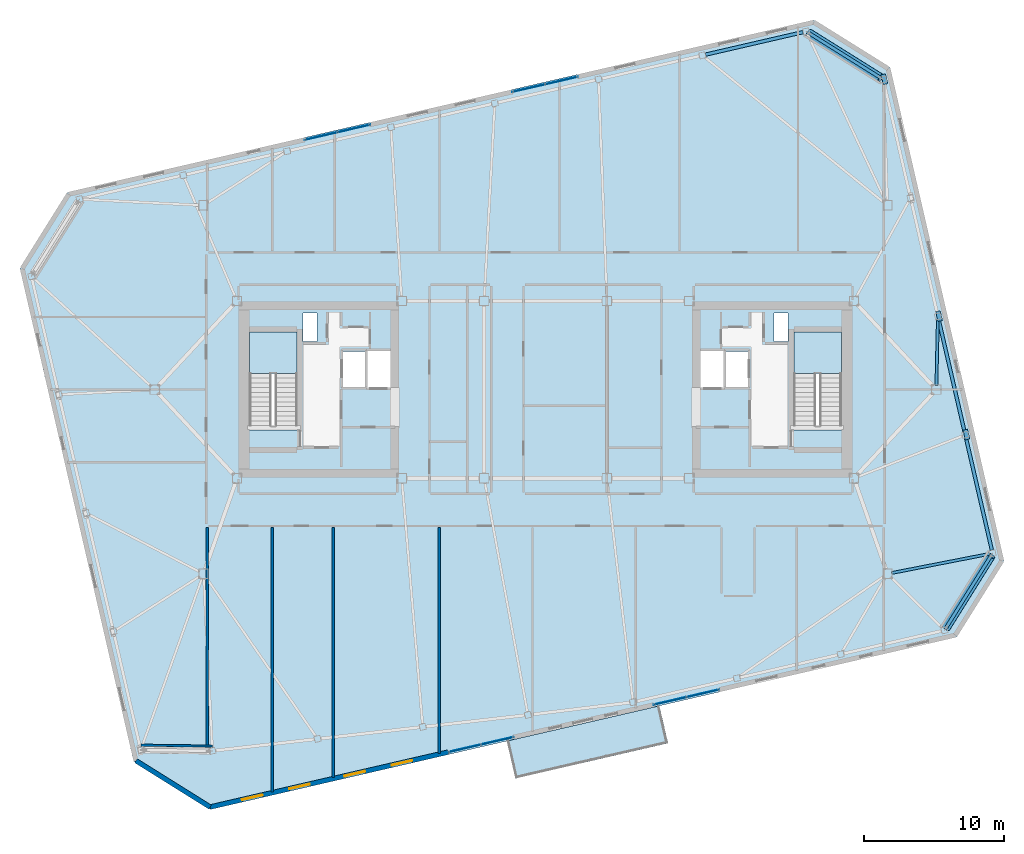
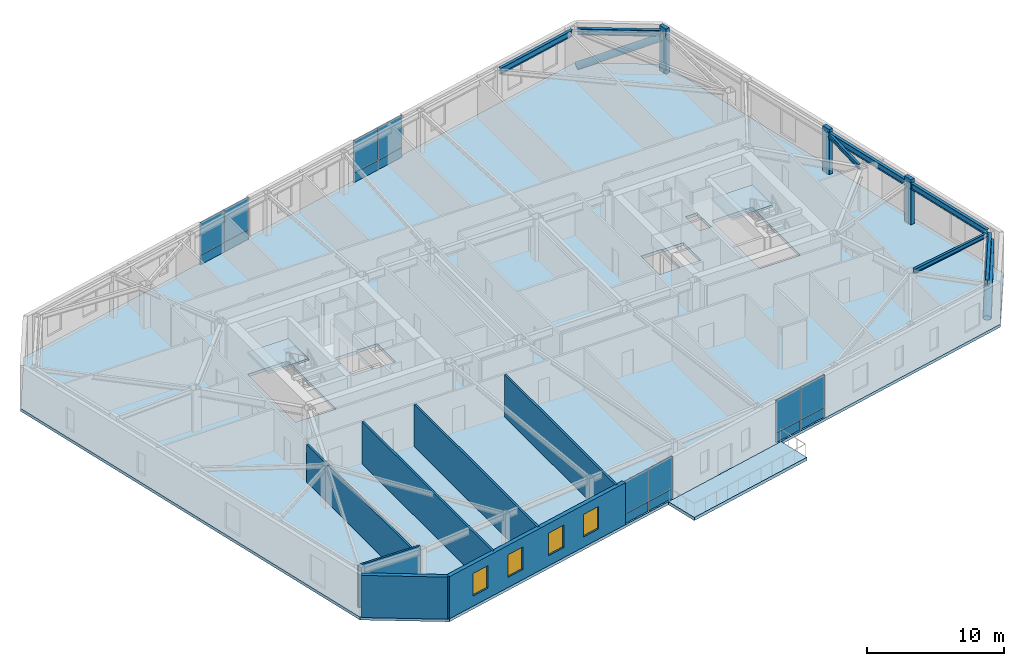
# One storey, part 15 of 24: 16 plates, 7 beams, 7 walls, 5 members, 4 slabs, 4 windows, 4 openings, 6 elements without a shape of their own.
"""IFC4 building model written with IfcOpenShell, lengths in metres."""

from ifc_helpers import new_model, si_unit, direction, frame, frame_2d, origin, origin_2d, place, context, subcontext, project, spatial, polyline, rectangle, hollow_circle, i_section, outline, extrude, material, layer, layer_set, material_profile, profile_set, type_object, element, fill, aggregate, save


model = new_model("IFC4")

# Units and contexts
model_context = context("Model", 3, precision=1e-05, world=origin(), true_north=direction((0.0, 1.0)))
body_context = subcontext(model_context, "Body", "Model", "MODEL_VIEW")
ifc_project = project(units=[si_unit("LENGTHUNIT", "METRE"), si_unit("AREAUNIT", "SQUARE_METRE"), si_unit("VOLUMEUNIT", "CUBIC_METRE"), si_unit("PLANEANGLEUNIT", "RADIAN"), si_unit("MASSUNIT", "GRAM", prefix="KILO")], contexts=[model_context])

# Site, building, storey
site_placement = place(None, origin())
site = spatial("IfcSite", under=ifc_project, at=site_placement, CompositionType="ELEMENT")
building_placement = place(site_placement, origin())
building = spatial("IfcBuilding", under=site, at=building_placement, Name="Tavrogorsk Clinical Tower", CompositionType="ELEMENT")
storey_placement = place(building_placement, frame((0.0, 0.0, 325.0)))
storey = spatial("IfcBuildingStorey", under=building, at=storey_placement, Name="L76", CompositionType="ELEMENT", Elevation=325.0)

# Members
ifc_material_1 = material(Name="Structural steel S440", Category="steel")
ifc_material_profile_1 = material_profile(ifc_material_1, hollow_circle(Radius=0.304931640625, WallThickness=0.02490234375, at=origin_2d()), Name="CHS-610x25")
ifc_profile_set_1 = profile_set([ifc_material_profile_1], Name="Structural steel S440")
member_type_1 = type_object("IfcMemberType", Name="ExoBrace_CHS610", PredefinedType="BRACE", material=ifc_profile_set_1)
for number, where, z_axis, x_axis, name in (
    (1, (28.70166015625, -17.063720703125, 0.393310546875), (0.485685891885, 0.777193135924, 0.40010004236), (-0.848027637525, 0.529952003481, 0.0), "L76 Corner Exoskeleton Brace S8-E1"),
    (2, (18.86279296875, 25.55322265625, 0.393310546875), (0.777221605895, -0.485643868835, 0.400095748531), (0.529905066536, 0.848056967697, 0.0), "L76 Corner Exoskeleton Brace E5-N1"),
):
    element("IfcMember", number, at=place(storey_placement, frame(where, z_axis=z_axis, x_axis=x_axis)), inside=storey, type_object=member_type_1, Name=name, PredefinedType="BRACE", context=body_context, shape_type="SweptSolid", body=[
        extrude(hollow_circle(Radius=0.304931640625, WallThickness=0.02490234375, at=origin_2d()), origin(), (0.0, 0.0, 1.0), 6.63232421875),
    ])

# Beams
ifc_material_2 = material(Name="Structural steel S355", Category="steel")
ifc_material_profile_2 = material_profile(ifc_material_2, i_section(OverallWidth=0.199951171875, OverallDepth=0.39990234375, WebThickness=0.010498046875, FlangeThickness=0.01611328125, at=origin_2d()), Name="B-400x200x10.5x16")
ifc_profile_set_2 = profile_set([ifc_material_profile_2], Name="Structural steel S355")
beam_type_1 = type_object("IfcBeamType", Name="FloorBeam_B400", PredefinedType="BEAM", material=ifc_profile_set_2)
beam_1_placement = place(storey_placement, frame((24.80419921875, -13.140625, 3.5400390625), z_axis=(0.981451198395, 0.191712141424, 0.0), x_axis=(-0.191712141424, 0.981451198395, 0.0)))
element("IfcBeam", 3, at=beam_1_placement, inside=storey, type_object=beam_type_1, Name="L76 Radial Floor Beam E1", PredefinedType="BEAM", context=body_context, shape_type="SweptSolid", body=[
    extrude(i_section(OverallWidth=0.199951171875, OverallDepth=0.39990234375, WebThickness=0.010498046875, FlangeThickness=0.01611328125, at=origin_2d()), origin(), (0.0, 0.0, 1.0), 7.13525390625),
])
beam_2_placement = place(storey_placement, frame((28.0068359375, 0.309814453125, 3.5400390625), z_axis=(0.022370062613, 0.999749758839, 0.0), x_axis=(-0.999749758839, 0.022370062613, 0.0)))
element("IfcBeam", 4, at=beam_2_placement, inside=storey, type_object=beam_type_1, Name="L76 Radial Floor Beam E3", PredefinedType="BEAM", context=body_context, shape_type="SweptSolid", body=[
    extrude(i_section(OverallWidth=0.199951171875, OverallDepth=0.39990234375, WebThickness=0.010498046875, FlangeThickness=0.01611328125, at=origin_2d()), origin(), (0.0, 0.0, 1.0), 4.703857421875),
])

# Members
ifc_material_3 = material(Name="Precast concrete B45 with limestone cladding", Category="masonry")
ifc_material_profile_3 = material_profile(ifc_material_3, rectangle(XDim=0.320068359375, YDim=0.719970703125, at=origin_2d()), Name="LIMESTONE-FIN-320x720")
ifc_profile_set_3 = profile_set([ifc_material_profile_3], Name="Precast concrete B45 with limestone cladding")
member_type_2 = type_object("IfcMemberType", Name="LimestonePleatFin_320x720", PredefinedType="USERDEFINED", material=ifc_profile_set_3)
for number, where, z_axis, x_axis, name in (
    (5, (30.154541015625, -3.223388671875, 0.0), (0.0, 0.0, 1.0), (0.974370064785, 0.224951054344, 0.0), "L76 E Pleated Stone Fin 1"),
    (6, (28.1953125, 5.263427734375, 0.0), (0.0, 0.0, 1.0), (0.974370064785, 0.224951054344, 0.0), "L76 E Pleated Stone Fin 2"),
    (7, (24.276611328125, 22.237060546875, 0.0), (0.0, 0.0, 1.0), (0.974370064785, 0.224951054344, 0.0), "L76 E Pleated Stone Fin 4"),
):
    element("IfcMember", number, at=place(storey_placement, frame(where, z_axis=z_axis, x_axis=x_axis)), inside=storey, type_object=member_type_2, Name=name, ObjectType="FIN", PredefinedType="USERDEFINED", context=body_context, shape_type="SweptSolid", body=[
        extrude(rectangle(XDim=0.320068359375, YDim=0.719970703125, at=origin_2d()), origin(), (0.0, 0.0, 1.0), 4.0),
    ])

# Beams
ifc_material_4 = material(Name="Structural steel S390", Category="steel")
ifc_material_profile_4 = material_profile(ifc_material_4, i_section(OverallWidth=0.239990234375, OverallDepth=0.550048828125, WebThickness=0.013916015625, FlangeThickness=0.02197265625, at=origin_2d()), Name="B-550x240x14x22")
ifc_profile_set_4 = profile_set([ifc_material_profile_4], Name="Structural steel S390")
beam_type_2 = type_object("IfcBeamType", Name="SpandrelBeam_B550", PredefinedType="SPANDREL", material=ifc_profile_set_4)
beam_3_placement = place(storey_placement, frame((28.712158203125, -17.04736328125, 3.465087890625), z_axis=(0.529904457892, 0.848057348006, 0.0), x_axis=(-0.848057348006, 0.529904457892, 0.0)))
element("IfcBeam", 8, at=beam_3_placement, inside=storey, type_object=beam_type_2, Name="L76 Perimeter Spandrel S8-E1", PredefinedType="SPANDREL", context=body_context, shape_type="SweptSolid", body=[
    extrude(i_section(OverallWidth=0.239990234375, OverallDepth=0.550048828125, WebThickness=0.013916015625, FlangeThickness=0.02197265625, at=origin_2d()), origin(), (0.0, 0.0, 1.0), 6.039306640625),
])
for number, where, z_axis, x_axis, name in (
    (9, (31.9833984375, -11.5009765625, 3.465087890625), (-0.224950345141, 0.974370228517, 0.0), (-0.974370228517, -0.224950345141, 0.0), "L76 Perimeter Spandrel E1-E2"),
    (10, (30.024169921875, -3.01416015625, 3.465087890625), (-0.224950345141, 0.974370228517, 0.0), (-0.974370228517, -0.224950345141, 0.0), "L76 Perimeter Spandrel E2-E3"),
):
    element("IfcBeam", number, at=place(storey_placement, frame(where, z_axis=z_axis, x_axis=x_axis)), inside=storey, type_object=beam_type_2, Name=name, PredefinedType="SPANDREL", context=body_context, shape_type="SweptSolid", body=[
        extrude(i_section(OverallWidth=0.239990234375, OverallDepth=0.550048828125, WebThickness=0.013916015625, FlangeThickness=0.02197265625, at=origin_2d()), origin(), (0.0, 0.0, 1.0), 8.243896484375),
    ])
beam_4_placement = place(storey_placement, frame((24.0009765625, 22.342529296875, 3.465087890625), z_axis=(-0.848057348006, 0.529904457892, 0.0), x_axis=(-0.529904457892, -0.848057348006, 0.0)))
element("IfcBeam", 11, at=beam_4_placement, inside=storey, type_object=beam_type_2, Name="L76 Perimeter Spandrel E5-N1", PredefinedType="SPANDREL", context=body_context, shape_type="SweptSolid", body=[
    extrude(i_section(OverallWidth=0.239990234375, OverallDepth=0.550048828125, WebThickness=0.013916015625, FlangeThickness=0.02197265625, at=origin_2d()), origin(), (0.0, 0.0, 1.0), 6.039306640625),
])
beam_5_placement = place(storey_placement, frame((18.45458984375, 25.61376953125, 3.465087890625), z_axis=(-0.974375120167, -0.224929155956, 0.0), x_axis=(0.224929155956, -0.974375120167, 0.0)))
element("IfcBeam", 12, at=beam_5_placement, inside=storey, type_object=beam_type_2, Name="L76 Perimeter Spandrel N1-N2", PredefinedType="SPANDREL", context=body_context, shape_type="SweptSolid", body=[
    extrude(i_section(OverallWidth=0.239990234375, OverallDepth=0.550048828125, WebThickness=0.013916015625, FlangeThickness=0.02197265625, at=origin_2d()), origin(), (0.0, 0.0, 1.0), 7.16796875),
])

# Curtain wall, plates
ifc_material_5 = material(Name="Anodised aluminium and triple IGU glazing", Category="aluminium")
ifc_layer_1 = layer(ifc_material_5, 0.179931640625)
ifc_layer_set_1 = layer_set([ifc_layer_1], Name="Anodised aluminium and triple IGU glazing")
curtain_wall_type_1 = type_object("IfcCurtainWallType", Name="CW3_SouthSlot", PredefinedType="NOTDEFINED", material=ifc_layer_set_1)
curtain_wall_1_placement = place(storey_placement, origin())
curtain_wall_1 = element("IfcCurtainWall", 13, at=curtain_wall_1_placement, inside=storey, type_object=curtain_wall_type_1, Name="L76 Curtain Wall CW-L76-S-SLOT-1", PredefinedType="NOTDEFINED")
ifc_material_6 = material(Name="Honed Podolsk limestone spandrel panel", Category="masonry")
ifc_layer_2 = layer(ifc_material_6, 0.080078125)
ifc_layer_set_2 = layer_set([ifc_layer_2], Name="Honed Podolsk limestone spandrel panel")
plate_type_1 = type_object("IfcPlateType", Name="CwSpandrelStonePanel_80", PredefinedType="CURTAIN_PANEL", material=ifc_layer_set_2)
plate_1_placement = place(storey_placement, frame((-5.810546875, -25.7099609375, 0.001953125), z_axis=(0.0, 0.0, 1.0), x_axis=(0.974370057377, 0.224951086434, 0.0)))
plate_1 = element("IfcPlate", 14, at=plate_1_placement, type_object=plate_type_1, Name="CW-L76-S-SLOT-1 Stone Spandrel Panel 1", PredefinedType="CURTAIN_PANEL", context=body_context, shape_type="SweptSolid", body=[
    extrude(rectangle(XDim=2.39208984375, YDim=0.080078125, at=origin_2d()), origin(), (0.0, 0.0, 1.0), 0.8359375),
])
plate_2_placement = place(storey_placement, frame((-3.45654296875, -25.16650390625, 0.001953125), z_axis=(0.0, 0.0, 1.0), x_axis=(0.974370057377, 0.224951086434, 0.0)))
plate_2 = element("IfcPlate", 15, at=plate_2_placement, type_object=plate_type_1, Name="CW-L76-S-SLOT-1 Stone Spandrel Panel 2", PredefinedType="CURTAIN_PANEL", context=body_context, shape_type="SweptSolid", body=[
    extrude(rectangle(XDim=2.39208984375, YDim=0.080078125, at=origin_2d()), origin(), (0.0, 0.0, 1.0), 0.8359375),
])

curtain_wall_2_placement = place(storey_placement, origin())
curtain_wall_2 = element("IfcCurtainWall", 16, at=curtain_wall_2_placement, inside=storey, type_object=curtain_wall_type_1, Name="L76 Curtain Wall CW-L76-S-SLOT-2", PredefinedType="NOTDEFINED")
plate_3_placement = place(storey_placement, frame((8.9296875, -22.306884765625, 0.001953125), z_axis=(0.0, 0.0, 1.0), x_axis=(0.974370057377, 0.224951086434, 0.0)))
plate_3 = element("IfcPlate", 17, at=plate_3_placement, type_object=plate_type_1, Name="CW-L76-S-SLOT-2 Stone Spandrel Panel 1", PredefinedType="CURTAIN_PANEL", context=body_context, shape_type="SweptSolid", body=[
    extrude(rectangle(XDim=2.39208984375, YDim=0.080078125, at=origin_2d()), origin(), (0.0, 0.0, 1.0), 0.8359375),
])
plate_4_placement = place(storey_placement, frame((11.28369140625, -21.763427734375, 0.001953125), z_axis=(0.0, 0.0, 1.0), x_axis=(0.974370057377, 0.224951086434, 0.0)))
plate_4 = element("IfcPlate", 18, at=plate_4_placement, type_object=plate_type_1, Name="CW-L76-S-SLOT-2 Stone Spandrel Panel 2", PredefinedType="CURTAIN_PANEL", context=body_context, shape_type="SweptSolid", body=[
    extrude(rectangle(XDim=2.39208984375, YDim=0.080078125, at=origin_2d()), origin(), (0.0, 0.0, 1.0), 0.8359375),
])

ifc_material_7 = material(Name="Anodised aluminium and triple IGU glazing", Category="aluminium")
ifc_layer_3 = layer(ifc_material_7, 0.179931640625)
ifc_layer_set_3 = layer_set([ifc_layer_3], Name="Anodised aluminium and triple IGU glazing")
curtain_wall_type_2 = type_object("IfcCurtainWallType", Name="CW2_NorthSlot", PredefinedType="NOTDEFINED", material=ifc_layer_set_3)
curtain_wall_3_placement = place(storey_placement, origin())
curtain_wall_3 = element("IfcCurtainWall", 19, at=curtain_wall_3_placement, inside=storey, type_object=curtain_wall_type_2, Name="L76 Curtain Wall CW-L76-N-SLOT-1", PredefinedType="NOTDEFINED")
plate_5_placement = place(storey_placement, frame((-13.729736328125, 18.70703125, 0.001953125), z_axis=(0.0, 0.0, 1.0), x_axis=(-0.974370057377, -0.224951086434, 0.0)))
plate_5 = element("IfcPlate", 20, at=plate_5_placement, type_object=plate_type_1, Name="CW-L76-N-SLOT-1 Stone Spandrel Panel 1", PredefinedType="CURTAIN_PANEL", context=body_context, shape_type="SweptSolid", body=[
    extrude(rectangle(XDim=2.39208984375, YDim=0.080078125, at=origin_2d()), origin(), (0.0, 0.0, 1.0), 0.8359375),
])
plate_6_placement = place(storey_placement, frame((-16.083740234375, 18.16357421875, 0.001953125), z_axis=(0.0, 0.0, 1.0), x_axis=(-0.974370057377, -0.224951086434, 0.0)))
plate_6 = element("IfcPlate", 21, at=plate_6_placement, type_object=plate_type_1, Name="CW-L76-N-SLOT-1 Stone Spandrel Panel 2", PredefinedType="CURTAIN_PANEL", context=body_context, shape_type="SweptSolid", body=[
    extrude(rectangle(XDim=2.39208984375, YDim=0.080078125, at=origin_2d()), origin(), (0.0, 0.0, 1.0), 0.8359375),
])

curtain_wall_4_placement = place(storey_placement, origin())
curtain_wall_4 = element("IfcCurtainWall", 22, at=curtain_wall_4_placement, inside=storey, type_object=curtain_wall_type_2, Name="L76 Curtain Wall CW-L76-N-SLOT-2", PredefinedType="NOTDEFINED")
plate_7_placement = place(storey_placement, frame((1.1474609375, 22.1416015625, 0.001953125), z_axis=(0.0, 0.0, 1.0), x_axis=(-0.974370092441, -0.224950934554, 0.0)))
plate_7 = element("IfcPlate", 23, at=plate_7_placement, type_object=plate_type_1, Name="CW-L76-N-SLOT-2 Stone Spandrel Panel 1", PredefinedType="CURTAIN_PANEL", context=body_context, shape_type="SweptSolid", body=[
    extrude(rectangle(XDim=2.39208984375, YDim=0.080078125, at=origin_2d()), origin(), (0.0, 0.0, 1.0), 0.8359375),
])
plate_8_placement = place(storey_placement, frame((-1.20654296875, 21.59814453125, 0.001953125), z_axis=(0.0, 0.0, 1.0), x_axis=(-0.974370092441, -0.224950934554, 0.0)))
plate_8 = element("IfcPlate", 24, at=plate_8_placement, type_object=plate_type_1, Name="CW-L76-N-SLOT-2 Stone Spandrel Panel 2", PredefinedType="CURTAIN_PANEL", context=body_context, shape_type="SweptSolid", body=[
    extrude(rectangle(XDim=2.39208984375, YDim=0.080078125, at=origin_2d()), origin(), (0.0, 0.0, 1.0), 0.8359375),
])

# Plate
ifc_material_8 = material(Name="Triple low-E argon insulated glass", Category="glass")
ifc_layer_4 = layer(ifc_material_8, 0.048095703125)
ifc_layer_set_4 = layer_set([ifc_layer_4], Name="Triple low-E argon insulated glass")
plate_type_2 = type_object("IfcPlateType", Name="CwVisionGlassPanel_48", PredefinedType="CURTAIN_PANEL", material=ifc_layer_set_4)
plate_9_placement = place(storey_placement, frame((-5.810546875, -25.7099609375, 0.862060546875), z_axis=(0.0, 0.0, 1.0), x_axis=(0.974370057377, 0.224951086434, 0.0)))
plate_9 = element("IfcPlate", 25, at=plate_9_placement, type_object=plate_type_2, Name="CW-L76-S-SLOT-1 Glazing Panel 1", PredefinedType="CURTAIN_PANEL", context=body_context, shape_type="SweptSolid", body=[
    extrude(rectangle(XDim=2.39208984375, YDim=0.048095703125, at=origin_2d()), origin(), (0.0, 0.0, 1.0), 2.8759765625),
])

plate_10_placement = place(storey_placement, frame((-3.45654296875, -25.16650390625, 0.862060546875), z_axis=(0.0, 0.0, 1.0), x_axis=(0.974370057377, 0.224951086434, 0.0)))
plate_10 = element("IfcPlate", 26, at=plate_10_placement, type_object=plate_type_2, Name="CW-L76-S-SLOT-1 Glazing Panel 2", PredefinedType="CURTAIN_PANEL", context=body_context, shape_type="SweptSolid", body=[
    extrude(rectangle(XDim=2.39208984375, YDim=0.048095703125, at=origin_2d()), origin(), (0.0, 0.0, 1.0), 2.8759765625),
])

aggregate(curtain_wall_1, [plate_1, plate_9, plate_2, plate_10])

plate_11_placement = place(storey_placement, frame((8.9296875, -22.306884765625, 0.862060546875), z_axis=(0.0, 0.0, 1.0), x_axis=(0.974370057377, 0.224951086434, 0.0)))
plate_11 = element("IfcPlate", 27, at=plate_11_placement, type_object=plate_type_2, Name="CW-L76-S-SLOT-2 Glazing Panel 1", PredefinedType="CURTAIN_PANEL", context=body_context, shape_type="SweptSolid", body=[
    extrude(rectangle(XDim=2.39208984375, YDim=0.048095703125, at=origin_2d()), origin(), (0.0, 0.0, 1.0), 2.8759765625),
])

plate_12_placement = place(storey_placement, frame((11.28369140625, -21.763427734375, 0.862060546875), z_axis=(0.0, 0.0, 1.0), x_axis=(0.974370057377, 0.224951086434, 0.0)))
plate_12 = element("IfcPlate", 28, at=plate_12_placement, type_object=plate_type_2, Name="CW-L76-S-SLOT-2 Glazing Panel 2", PredefinedType="CURTAIN_PANEL", context=body_context, shape_type="SweptSolid", body=[
    extrude(rectangle(XDim=2.39208984375, YDim=0.048095703125, at=origin_2d()), origin(), (0.0, 0.0, 1.0), 2.8759765625),
])

aggregate(curtain_wall_2, [plate_3, plate_11, plate_4, plate_12])

plate_13_placement = place(storey_placement, frame((-13.729736328125, 18.70703125, 0.862060546875), z_axis=(0.0, 0.0, 1.0), x_axis=(-0.974370057377, -0.224951086434, 0.0)))
plate_13 = element("IfcPlate", 29, at=plate_13_placement, type_object=plate_type_2, Name="CW-L76-N-SLOT-1 Glazing Panel 1", PredefinedType="CURTAIN_PANEL", context=body_context, shape_type="SweptSolid", body=[
    extrude(rectangle(XDim=2.39208984375, YDim=0.048095703125, at=origin_2d()), origin(), (0.0, 0.0, 1.0), 2.8759765625),
])

plate_14_placement = place(storey_placement, frame((-16.083740234375, 18.16357421875, 0.862060546875), z_axis=(0.0, 0.0, 1.0), x_axis=(-0.974370057377, -0.224951086434, 0.0)))
plate_14 = element("IfcPlate", 30, at=plate_14_placement, type_object=plate_type_2, Name="CW-L76-N-SLOT-1 Glazing Panel 2", PredefinedType="CURTAIN_PANEL", context=body_context, shape_type="SweptSolid", body=[
    extrude(rectangle(XDim=2.39208984375, YDim=0.048095703125, at=origin_2d()), origin(), (0.0, 0.0, 1.0), 2.8759765625),
])

aggregate(curtain_wall_3, [plate_5, plate_13, plate_6, plate_14])

plate_15_placement = place(storey_placement, frame((1.1474609375, 22.1416015625, 0.862060546875), z_axis=(0.0, 0.0, 1.0), x_axis=(-0.974370092441, -0.224950934554, 0.0)))
plate_15 = element("IfcPlate", 31, at=plate_15_placement, type_object=plate_type_2, Name="CW-L76-N-SLOT-2 Glazing Panel 1", PredefinedType="CURTAIN_PANEL", context=body_context, shape_type="SweptSolid", body=[
    extrude(rectangle(XDim=2.39208984375, YDim=0.048095703125, at=origin_2d()), origin(), (0.0, 0.0, 1.0), 2.8759765625),
])

plate_16_placement = place(storey_placement, frame((-1.20654296875, 21.59814453125, 0.862060546875), z_axis=(0.0, 0.0, 1.0), x_axis=(-0.974370092441, -0.224950934554, 0.0)))
plate_16 = element("IfcPlate", 32, at=plate_16_placement, type_object=plate_type_2, Name="CW-L76-N-SLOT-2 Glazing Panel 2", PredefinedType="CURTAIN_PANEL", context=body_context, shape_type="SweptSolid", body=[
    extrude(rectangle(XDim=2.39208984375, YDim=0.048095703125, at=origin_2d()), origin(), (0.0, 0.0, 1.0), 2.8759765625),
])

aggregate(curtain_wall_4, [plate_7, plate_15, plate_8, plate_16])

# Stair, slab
ifc_material_9 = material(Name="Concrete B60", Category="concrete")
stair_type = type_object("IfcStairType", Name="CoreStairAssembly", PredefinedType="HALF_TURN_STAIR", material=ifc_material_9)
stair_1_placement = place(storey_placement, origin())
stair_1 = element("IfcStair", 33, at=stair_1_placement, inside=storey, type_object=stair_type, Name="L76 ST-W", PredefinedType="HALF_TURN_STAIR")
ifc_material_10 = material(Name="Concrete B60", Category="concrete")
ifc_layer_5 = layer(ifc_material_10, 0.199951171875)
ifc_layer_set_5 = layer_set([ifc_layer_5], Name="Concrete B60")
slab_type_1 = type_object("IfcSlabType", Name="StairLanding_200", PredefinedType="LANDING", material=ifc_layer_set_5)
slab_1_placement = place(storey_placement, frame((0.0, 0.0, 1.800048828125)))
slab_1 = element("IfcSlab", 34, at=slab_1_placement, type_object=slab_type_1, Name="ST-W landing 1", PredefinedType="LANDING", context=body_context, shape_type="SweptSolid", body=[
    extrude(outline(polyline([(-17.800048828125, 1.1650390625), (-17.800048828125, 4.125), (-21.199951171875, 4.125), (-21.199951171875, 1.1650390625), (-17.800048828125, 1.1650390625)])), origin(), (0.0, 0.0, 1.0), 0.199951171875),
])
aggregate(stair_1, [slab_1])

stair_2_placement = place(storey_placement, origin())
stair_2 = element("IfcStair", 35, at=stair_2_placement, inside=storey, type_object=stair_type, Name="L76 ST-E", PredefinedType="HALF_TURN_STAIR")
slab_2_placement = place(storey_placement, frame((0.0, 0.0, 1.800048828125)))
slab_2 = element("IfcSlab", 36, at=slab_2_placement, type_object=slab_type_1, Name="ST-E landing 1", PredefinedType="LANDING", context=body_context, shape_type="SweptSolid", body=[
    extrude(outline(polyline([(21.199951171875, 1.1650390625), (21.199951171875, 4.125), (17.800048828125, 4.125), (17.800048828125, 1.1650390625), (21.199951171875, 1.1650390625)])), origin(), (0.0, 0.0, 1.0), 0.199951171875),
])
aggregate(stair_2, [slab_2])

# Slabs
ifc_material_11 = material(Name="Concrete B60", Category="concrete")
ifc_layer_6 = layer(ifc_material_11, 0.280029296875)
ifc_layer_set_6 = layer_set([ifc_layer_6], Name="Concrete B60")
slab_type_2 = type_object("IfcSlabType", Name="TerraceRoofSlab_280", PredefinedType="ROOF", material=ifc_layer_set_6)
slab_3_placement = place(storey_placement, frame((0.0, 0.0, -0.280029296875)))
element("IfcSlab", 37, at=slab_3_placement, inside=storey, type_object=slab_type_2, Name="Spiralling Recuperation Terrace Slab", PredefinedType="ROOF", context=body_context, shape_type="SweptSolid", body=[
    extrude(outline(polyline([(8.781494140625, -25.337890625), (-2.131591796875, -27.857421875), (-2.75, -25.177978515625), (8.162841796875, -22.658447265625), (8.781494140625, -25.337890625)])), origin(), (0.0, 0.0, 1.0), 0.280029296875),
])
ifc_material_12 = material(Name="Concrete B60", Category="concrete")
ifc_layer_7 = layer(ifc_material_12, 0.260009765625)
ifc_layer_set_7 = layer_set([ifc_layer_7], Name="Concrete B60")
slab_type_3 = type_object("IfcSlabType", Name="WardSlab_260", PredefinedType="FLOOR", material=ifc_layer_set_7)
slab_4_placement = place(storey_placement, frame((0.0, 0.0, -0.260009765625)))
element("IfcSlab", 38, at=slab_4_placement, inside=storey, type_object=slab_type_3, Name="L76 Structural Slab", PredefinedType="FLOOR", context=body_context, shape_type="SweptSolid", body=[
    extrude(outline(polyline([(-23.991455078125, -30.081787109375), (29.404052734375, -17.75439453125), (32.8515625, -12.23779296875), (24.708251953125, 23.034423828125), (19.19140625, 26.48193359375), (-34.2041015625, 14.154541015625), (-37.651611328125, 8.6376953125), (-29.50830078125, -26.634521484375), (-23.991455078125, -30.081787109375)]), holes=[polyline([(-17.800048828125, -2.8798828125), (-17.800048828125, 4.125), (-21.199951171875, 4.125), (-21.199951171875, -2.8798828125), (-17.800048828125, -2.8798828125)]), polyline([(21.199951171875, -2.8798828125), (21.199951171875, 4.125), (17.800048828125, 4.125), (17.800048828125, -2.8798828125), (21.199951171875, -2.8798828125)]), polyline([(-14.6201171875, 0.169921875), (-12.860107421875, 0.169921875), (-12.860107421875, 2.72998046875), (-14.6201171875, 2.72998046875), (-14.6201171875, 0.169921875)]), polyline([(-12.840087890625, 0.1201171875), (-11.080078125, 0.1201171875), (-11.080078125, 2.780029296875), (-12.840087890625, 2.780029296875), (-12.840087890625, 0.1201171875)]), polyline([(12.860107421875, 0.169921875), (14.6201171875, 0.169921875), (14.6201171875, 2.72998046875), (12.860107421875, 2.72998046875), (12.860107421875, 0.169921875)]), polyline([(11.080078125, 0.1201171875), (12.840087890625, 0.1201171875), (12.840087890625, 2.780029296875), (11.080078125, 2.780029296875), (11.080078125, 0.1201171875)]), polyline([(-17.3798828125, 3.449951171875), (-16.3798828125, 3.449951171875), (-16.3798828125, 5.5), (-17.3798828125, 5.5), (-17.3798828125, 3.449951171875)]), polyline([(16.3798828125, 3.449951171875), (17.3798828125, 3.449951171875), (17.3798828125, 5.5), (16.3798828125, 5.5), (16.3798828125, 3.449951171875)])]), origin(), (0.0, 0.0, 1.0), 0.260009765625),
])

# Walls
ifc_material_13 = material(Name="Lightweight concrete blockwork B15", Category="masonry")
ifc_layer_8 = layer(ifc_material_13, 0.159912109375)
ifc_layer_set_8 = layer_set([ifc_layer_8], Name="Lightweight concrete blockwork B15")
wall_type_1 = type_object("IfcWallType", Name="PartitionWall_160", PredefinedType="PARTITIONING", material=ifc_layer_set_8)
wall_1_placement = place(storey_placement, frame((-28.994140625, -25.47900390625, 0.0), z_axis=(0.0, 0.0, 1.0), x_axis=(0.999915052546, -0.01303409726, 0.0)))
element("IfcWall", 39, at=wall_1_placement, inside=storey, type_object=wall_type_1, Name="L76 Corner Exoskeleton Brace Furring Wall 4", PredefinedType="PARTITIONING", context=body_context, shape_type="SweptSolid", body=[
    extrude(rectangle(XDim=5.13232421875, YDim=0.159912109375, at=frame_2d((2.566162109375, 0.0))), origin(), (0.0, 0.0, 1.0), 3.739990234375),
])
wall_2_placement = place(storey_placement, frame((-24.22998046875, -25.535888671875, 0.0), z_axis=(0.0, 0.0, 1.0), x_axis=(0.0, 1.0, 0.0)))
element("IfcWall", 40, at=wall_2_placement, inside=storey, type_object=wall_type_1, Name="L76 SW Wing Closure Partition", PredefinedType="PARTITIONING", context=body_context, shape_type="SweptSolid", body=[
    extrude(rectangle(XDim=15.6708984375, YDim=0.159912109375, at=frame_2d((7.83544921875, 0.0))), origin(), (0.0, 0.0, 1.0), 3.3349609375),
])
wall_3_placement = place(storey_placement, frame((-19.580078125, -28.817138671875, 0.0), z_axis=(0.0, 0.0, 1.0), x_axis=(0.0, 1.0, 0.0)))
element("IfcWall", 41, at=wall_3_placement, inside=storey, type_object=wall_type_1, Name="L76 South Room Partition 1", PredefinedType="PARTITIONING", context=body_context, shape_type="SweptSolid", body=[
    extrude(rectangle(XDim=18.9521484375, YDim=0.159912109375, at=frame_2d((9.47607421875, 0.0))), origin(), (0.0, 0.0, 1.0), 3.739990234375),
])
wall_4_placement = place(storey_placement, frame((-15.199951171875, -27.805908203125, 0.0), z_axis=(0.0, 0.0, 1.0), x_axis=(0.0, 1.0, 0.0)))
element("IfcWall", 42, at=wall_4_placement, inside=storey, type_object=wall_type_1, Name="L76 South Room Partition 2", PredefinedType="PARTITIONING", context=body_context, shape_type="SweptSolid", body=[
    extrude(rectangle(XDim=17.94091796875, YDim=0.159912109375, at=frame_2d((8.970458984375, 0.0))), origin(), (0.0, 0.0, 1.0), 3.739990234375),
])
wall_5_placement = place(storey_placement, frame((-7.6201171875, -26.055908203125, 0.0), z_axis=(0.0, 0.0, 1.0), x_axis=(0.0, 1.0, 0.0)))
element("IfcWall", 43, at=wall_5_placement, inside=storey, type_object=wall_type_1, Name="L76 South Sub-Partition 3", PredefinedType="PARTITIONING", context=body_context, shape_type="SweptSolid", body=[
    extrude(rectangle(XDim=16.19091796875, YDim=0.159912109375, at=frame_2d((8.095458984375, 0.0))), origin(), (0.0, 0.0, 1.0), 3.739990234375),
])

# Wall, openings, windows
ifc_material_14 = material(Name="Precast concrete B45 with limestone cladding", Category="masonry")
ifc_layer_9 = layer(ifc_material_14, 0.340087890625)
ifc_layer_set_9 = layer_set([ifc_layer_9], Name="Precast concrete B45 with limestone cladding")
wall_type_2 = type_object("IfcWallType", Name="PrecastLimestoneWall_340", PredefinedType="STANDARD", material=ifc_layer_set_9)
wall_6_placement = place(storey_placement, frame((-24.029541015625, -29.916259765625, 0.0), z_axis=(0.0, 0.0, 1.0), x_axis=(0.974370978061, 0.224947098473, 0.0)))
wall_6 = element("IfcWall", 44, at=wall_6_placement, inside=storey, type_object=wall_type_2, Name="L76 S Limestone Facade Wall 1", PredefinedType="STANDARD", context=body_context, shape_type="SweptSolid", body=[
    extrude(rectangle(XDim=17.50634765625, YDim=0.340087890625, at=frame_2d((8.753173828125, 0.0))), origin(), (0.0, 0.0, 1.0), 3.739990234375),
])
opening_1_placement = place(wall_6_placement, frame((2.35009765625, 0.0, 0.89990234375)))
opening_1 = element("IfcOpeningElement", 45, at=opening_1_placement, cuts=wall_6, Name="Opening WN-05", PredefinedType="OPENING", context=body_context, shape_type="SweptSolid", body=[
    extrude(rectangle(XDim=1.5, YDim=2.0, at=frame_2d((0.75, 1.0))), frame((0.0, 0.179931640625, 0.0), z_axis=(0.0, -1.0, 0.0), x_axis=(1.0, 0.0, 0.0)), (0.0, 0.0, 1.0), 0.360107421875),
])
opening_2_placement = place(wall_6_placement, frame((5.81689453125, 0.0, 0.89990234375)))
opening_2 = element("IfcOpeningElement", 46, at=opening_2_placement, cuts=wall_6, Name="Opening WN-05", PredefinedType="OPENING", context=body_context, shape_type="SweptSolid", body=[
    extrude(rectangle(XDim=1.5, YDim=2.0, at=frame_2d((0.75, 1.0))), frame((0.0, 0.179931640625, 0.0), z_axis=(0.0, -1.0, 0.0), x_axis=(1.0, 0.0, 0.0)), (0.0, 0.0, 1.0), 0.360107421875),
])
opening_3_placement = place(wall_6_placement, frame((9.886474609375, 0.0, 0.89990234375)))
opening_3 = element("IfcOpeningElement", 47, at=opening_3_placement, cuts=wall_6, Name="Opening WN-05", PredefinedType="OPENING", context=body_context, shape_type="SweptSolid", body=[
    extrude(rectangle(XDim=1.5, YDim=2.0, at=frame_2d((0.75, 1.0))), frame((0.0, 0.179931640625, 0.0), z_axis=(0.0, -1.0, 0.0), x_axis=(1.0, 0.0, 0.0)), (0.0, 0.0, 1.0), 0.360107421875),
])
opening_4_placement = place(wall_6_placement, frame((13.353271484375, 0.0, 0.89990234375)))
opening_4 = element("IfcOpeningElement", 48, at=opening_4_placement, cuts=wall_6, Name="Opening WN-05", PredefinedType="OPENING", context=body_context, shape_type="SweptSolid", body=[
    extrude(rectangle(XDim=1.5, YDim=2.0, at=frame_2d((0.75, 1.0))), frame((0.0, 0.179931640625, 0.0), z_axis=(0.0, -1.0, 0.0), x_axis=(1.0, 0.0, 0.0)), (0.0, 0.0, 1.0), 0.360107421875),
])
ifc_material_15 = material(Name="Thermally broken aluminium frame and triple IGU", Category="aluminium")
window_type = type_object("IfcWindowType", Name="ConsultWin_1500x2000", PartitioningType="SINGLE_PANEL", PredefinedType="WINDOW", material=ifc_material_15)
window_1_placement = place(opening_1_placement, origin())
window_1 = element("IfcWindow", 49, at=window_1_placement, inside=storey, type_object=window_type, Name="L76 S Chicago Window 01", OverallHeight=2.0, OverallWidth=1.5, PartitioningType="SINGLE_PANEL", PredefinedType="WINDOW", context=body_context, shape_type="SweptSolid", body=[
    extrude(rectangle(XDim=1.5, YDim=2.0, at=frame_2d((0.75, 1.0))), frame((0.0, 0.030029296875, 0.0), z_axis=(0.0, -1.0, 0.0), x_axis=(1.0, 0.0, 0.0)), (0.0, 0.0, 1.0), 0.06005859375),
])
fill(opening_1, window_1)
window_2_placement = place(opening_2_placement, origin())
window_2 = element("IfcWindow", 50, at=window_2_placement, inside=storey, type_object=window_type, Name="L76 S Chicago Window 02", OverallHeight=2.0, OverallWidth=1.5, PartitioningType="SINGLE_PANEL", PredefinedType="WINDOW", context=body_context, shape_type="SweptSolid", body=[
    extrude(rectangle(XDim=1.5, YDim=2.0, at=frame_2d((0.75, 1.0))), frame((0.0, 0.030029296875, 0.0), z_axis=(0.0, -1.0, 0.0), x_axis=(1.0, 0.0, 0.0)), (0.0, 0.0, 1.0), 0.06005859375),
])
fill(opening_2, window_2)
window_3_placement = place(opening_3_placement, origin())
window_3 = element("IfcWindow", 51, at=window_3_placement, inside=storey, type_object=window_type, Name="L76 S Chicago Window 03", OverallHeight=2.0, OverallWidth=1.5, PartitioningType="SINGLE_PANEL", PredefinedType="WINDOW", context=body_context, shape_type="SweptSolid", body=[
    extrude(rectangle(XDim=1.5, YDim=2.0, at=frame_2d((0.75, 1.0))), frame((0.0, 0.030029296875, 0.0), z_axis=(0.0, -1.0, 0.0), x_axis=(1.0, 0.0, 0.0)), (0.0, 0.0, 1.0), 0.06005859375),
])
fill(opening_3, window_3)
window_4_placement = place(opening_4_placement, origin())
window_4 = element("IfcWindow", 52, at=window_4_placement, inside=storey, type_object=window_type, Name="L76 S Chicago Window 04", OverallHeight=2.0, OverallWidth=1.5, PartitioningType="SINGLE_PANEL", PredefinedType="WINDOW", context=body_context, shape_type="SweptSolid", body=[
    extrude(rectangle(XDim=1.5, YDim=2.0, at=frame_2d((0.75, 1.0))), frame((0.0, 0.030029296875, 0.0), z_axis=(0.0, -1.0, 0.0), x_axis=(1.0, 0.0, 0.0)), (0.0, 0.0, 1.0), 0.06005859375),
])
fill(opening_4, window_4)

# Wall
wall_7_placement = place(storey_placement, frame((-29.342529296875, -26.59619140625, 0.0), z_axis=(0.0, 0.0, 1.0), x_axis=(0.848037708252, -0.529935887993, 0.0)))
element("IfcWall", 53, at=wall_7_placement, inside=storey, type_object=wall_type_2, Name="L76 Chamfered Corner Wall 4", PredefinedType="STANDARD", context=body_context, shape_type="SweptSolid", body=[
    extrude(rectangle(XDim=6.26513671875, YDim=0.340087890625, at=frame_2d((3.132568359375, 0.0))), origin(), (0.0, 0.0, 1.0), 3.739990234375),
])

save(model, "model.ifc")
